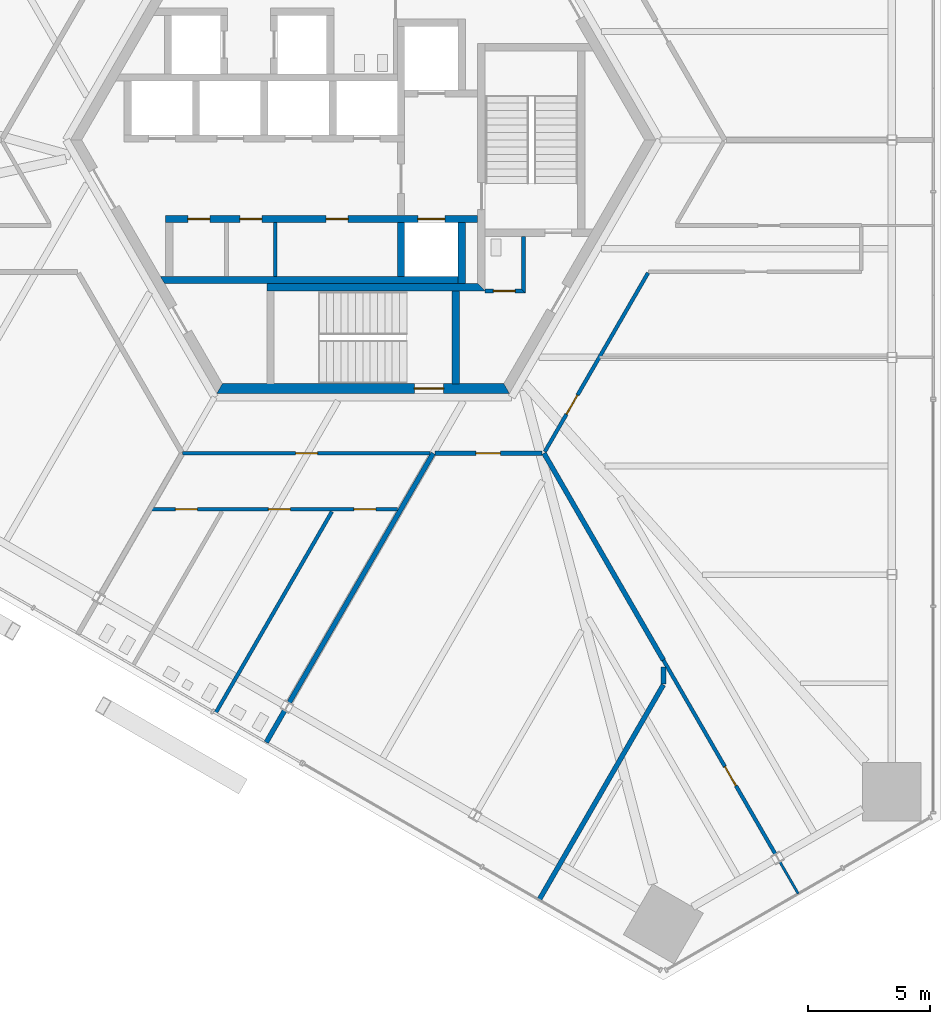
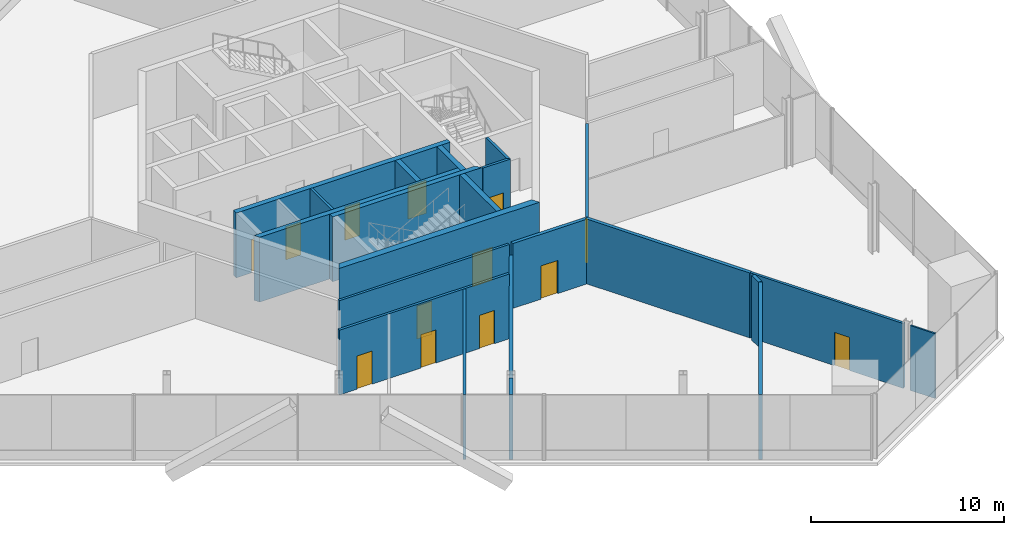
# One storey, part 10 of 15: 22 walls, 13 doors, 13 openings.
"""IFC4 building model written with IfcOpenShell, lengths in metres."""

from ifc_helpers import new_model, si_unit, direction, frame, frame_2d, origin, place, context, subcontext, project, spatial, polyline, rectangle, outline, extrude, source, transform, mapped, material, layer, layer_set, type_object, element, fill, save


model = new_model("IFC4")

# Units and contexts
model_context = context("Model", 3, precision=1e-05, world=origin(), true_north=direction((0.0, 1.0)))
body_context = subcontext(model_context, "Body", "Model", "MODEL_VIEW")
ifc_project = project(units=[si_unit("LENGTHUNIT", "METRE"), si_unit("AREAUNIT", "SQUARE_METRE"), si_unit("VOLUMEUNIT", "CUBIC_METRE"), si_unit("PLANEANGLEUNIT", "RADIAN"), si_unit("MASSUNIT", "GRAM", prefix="KILO")], contexts=[model_context])

# Site, building, storey
site_placement = place(None, origin())
site = spatial("IfcSite", under=ifc_project, at=site_placement, CompositionType="ELEMENT")
building_placement = place(site_placement, origin())
building = spatial("IfcBuilding", under=site, at=building_placement, Name="Triune Harvest Tower", CompositionType="ELEMENT")
storey_placement = place(building_placement, frame((0.0, 0.0, 28.89990234375)))
storey = spatial("IfcBuildingStorey", under=building, at=storey_placement, Name="L06", CompositionType="ELEMENT", Elevation=28.89990234375)

# Walls
ifc_material_1 = material(Name="Gypsum board on steel studs", Category="steel")
ifc_layer_1 = layer(ifc_material_1, 0.199951171875)
ifc_layer_set_1 = layer_set([ifc_layer_1], Name="Gypsum board on steel studs")
wall_type_1 = type_object("IfcWallType", Name="Fire Wall 200 mm", PredefinedType="PARTITIONING", material=ifc_layer_set_1)
wall_1_placement = place(storey_placement, frame((7.21923828125, -31.15478515625, 0.0), z_axis=(0.0, 0.0, 1.0), x_axis=(0.500008258637, 0.866020635606, 0.0)))
element("IfcWall", 1, at=wall_1_placement, inside=storey, type_object=wall_type_1, Name="Partition L06 031", PredefinedType="PARTITIONING", context=body_context, shape_type="SweptSolid", body=[
    extrude(rectangle(XDim=10.179443359375, YDim=0.199951171875, at=frame_2d((5.08984375, 0.0))), origin(), (0.0, 0.0, 1.0), 4.10009765625),
])
wall_2_placement = place(storey_placement, frame((12.30908203125, -22.30908203125, 0.0), z_axis=(0.0, 0.0, 1.0), x_axis=(0.0, 1.0, 0.0)))
element("IfcWall", 2, at=wall_2_placement, inside=storey, type_object=wall_type_1, Name="Partition L06 044", PredefinedType="PARTITIONING", context=body_context, shape_type="SweptSolid", body=[
    extrude(rectangle(XDim=0.708984375, YDim=0.199951171875, at=frame_2d((0.3544921875, 0.0))), origin(), (0.0, 0.0, 1.0), 4.10009765625),
])

# Wall, opening, door
ifc_material_2 = material(Name="Concrete 70 MPa", Category="concrete")
ifc_layer_2 = layer(ifc_material_2, 0.39990234375)
ifc_layer_set_2 = layer_set([ifc_layer_2], Name="Concrete 70 MPa")
wall_type_2 = type_object("IfcWallType", Name="Core wall 400", PredefinedType="SHEAR", material=ifc_layer_set_2)
shared_shape_1 = source(origin(), body_context, "Body", "SweptSolid", [
    extrude(outline(polyline([(-0.115478515625, -0.199951171875), (11.884521484375, -0.199951171875), (11.653564453125, 0.199951171875), (0.115478515625, 0.199951171875), (-0.115478515625, -0.199951171875)])), origin(), (0.0, 0.0, 1.0), 4.10009765625),
])
wall_3_placement = place(storey_placement, frame((-5.884521484375, -10.1923828125, 0.0), z_axis=(0.0, 0.0, 1.0), x_axis=(1.0, 0.0, 0.0)))
wall_3 = element("IfcWall", 3, at=wall_3_placement, inside=storey, type_object=wall_type_2, Name="Hexagon 4 wall", PredefinedType="SHEAR", context=body_context, shape_type="MappedRepresentation", body=[
    mapped(shared_shape_1, transform((0.0, 0.0, 0.0), scale=1.0)),
])
opening_1_placement = place(wall_3_placement, frame((7.984619140625, 0.0, 0.0)))
opening_1 = element("IfcOpeningElement", 4, at=opening_1_placement, cuts=wall_3, Name="Opening CD-S2P", PredefinedType="OPENING", context=body_context, shape_type="SweptSolid", body=[
    extrude(rectangle(XDim=1.199951171875, YDim=2.10009765625, at=frame_2d((0.60009765625, 1.050048828125))), frame((0.0, 0.2099609375, 0.0), z_axis=(0.0, -1.0, 0.0), x_axis=(1.0, 0.0, 0.0)), (0.0, 0.0, 1.0), 0.419921875),
])
ifc_material_3 = material(Name="Steel S235", Category="steel")
door_type_1 = type_object("IfcDoorType", Name="Stair door 1200 FD120", OperationType="SINGLE_SWING_LEFT", PredefinedType="DOOR", material=ifc_material_3)
door_1_placement = place(opening_1_placement, frame((1.199951171875, 0.0, 0.0), z_axis=(0.0, 0.0, 1.0), x_axis=(-1.0, 0.0, 0.0)))
door_1 = element("IfcDoor", 5, at=door_1_placement, inside=storey, type_object=door_type_1, Name="Door CD-S2P", OperationType="SINGLE_SWING_RIGHT", OverallHeight=2.10009765625, OverallWidth=1.199951171875, PredefinedType="DOOR", context=body_context, shape_type="SweptSolid", body=[
    extrude(rectangle(XDim=1.199951171875, YDim=2.10009765625, at=frame_2d((0.60009765625, 1.050048828125))), frame((0.0, 0.02490234375, 0.0), z_axis=(0.0, -1.0, 0.0), x_axis=(1.0, 0.0, 0.0)), (0.0, 0.0, 1.0), 0.050048828125),
])
fill(opening_1, door_1)

# Wall
ifc_material_4 = material(Name="Concrete 70 MPa", Category="concrete")
ifc_layer_3 = layer(ifc_material_4, 0.300048828125)
ifc_layer_set_3 = layer_set([ifc_layer_3], Name="Concrete 70 MPa")
wall_type_3 = type_object("IfcWallType", Name="Core wall 300", PredefinedType="SHEAR", material=ifc_layer_set_3)
shared_shape_2 = source(origin(), body_context, "Body", "SweptSolid", [
    extrude(rectangle(XDim=2.5, YDim=0.300048828125, at=frame_2d((1.25, 0.0))), origin(), (0.0, 0.0, 1.0), 4.10009765625),
])
wall_4_placement = place(storey_placement, frame((4.050048828125, -5.889892578125, 0.0), z_axis=(0.0, 0.0, 1.0), x_axis=(0.0, 1.0, 0.0)))
element("IfcWall", 6, at=wall_4_placement, inside=storey, type_object=wall_type_3, Name="Ff2 east wall", PredefinedType="SHEAR", context=body_context, shape_type="MappedRepresentation", body=[
    mapped(shared_shape_2, transform((0.0, 0.0, 0.0), scale=1.0)),
])

# Wall, openings, doors
shared_shape_3 = source(origin(), body_context, "Body", "SweptSolid", [
    extrude(rectangle(XDim=12.800048828125, YDim=0.300048828125, at=frame_2d((6.39990234375, 0.0))), origin(), (0.0, 0.0, 1.0), 4.10009765625),
])
wall_5_placement = place(storey_placement, frame((-8.10009765625, -3.239990234375, 0.0), z_axis=(0.0, 0.0, 1.0), x_axis=(1.0, 0.0, 0.0)))
wall_5 = element("IfcWall", 7, at=wall_5_placement, inside=storey, type_object=wall_type_3, Name="South front wall", PredefinedType="SHEAR", context=body_context, shape_type="MappedRepresentation", body=[
    mapped(shared_shape_3, transform((0.0, 0.0, 0.0), scale=1.0)),
])
opening_2_placement = place(wall_5_placement, frame((0.91259765625, 0.0, 0.0)))
opening_2 = element("IfcOpeningElement", 8, at=opening_2_placement, cuts=wall_5, Name="Opening CD-RS1", PredefinedType="OPENING", context=body_context, shape_type="SweptSolid", body=[
    extrude(rectangle(XDim=0.89990234375, YDim=2.10009765625, at=frame_2d((0.449951171875, 1.050048828125))), frame((0.0, 0.16015625, 0.0), z_axis=(0.0, -1.0, 0.0), x_axis=(1.0, 0.0, 0.0)), (0.0, 0.0, 1.0), 0.320068359375),
])
opening_3_placement = place(wall_5_placement, frame((3.050048828125, 0.0, 0.0)))
opening_3 = element("IfcOpeningElement", 9, at=opening_3_placement, cuts=wall_5, Name="Opening CD-RS2", PredefinedType="OPENING", context=body_context, shape_type="SweptSolid", body=[
    extrude(rectangle(XDim=0.89990234375, YDim=2.10009765625, at=frame_2d((0.449951171875, 1.050048828125))), frame((0.0, 0.16015625, 0.0), z_axis=(0.0, -1.0, 0.0), x_axis=(1.0, 0.0, 0.0)), (0.0, 0.0, 1.0), 0.320068359375),
])
opening_4_placement = place(wall_5_placement, frame((6.58740234375, 0.0, 0.0)))
opening_4 = element("IfcOpeningElement", 10, at=opening_4_placement, cuts=wall_5, Name="Opening CD-RS3", PredefinedType="OPENING", context=body_context, shape_type="SweptSolid", body=[
    extrude(rectangle(XDim=0.89990234375, YDim=2.10009765625, at=frame_2d((0.449951171875, 1.050048828125))), frame((0.0, 0.16015625, 0.0), z_axis=(0.0, -1.0, 0.0), x_axis=(1.0, 0.0, 0.0)), (0.0, 0.0, 1.0), 0.320068359375),
])
opening_5_placement = place(wall_5_placement, frame((10.35009765625, 0.0, 0.0)))
opening_5 = element("IfcOpeningElement", 11, at=opening_5_placement, cuts=wall_5, Name="Opening LD-FF2-06", PredefinedType="OPENING", context=body_context, shape_type="SweptSolid", body=[
    extrude(rectangle(XDim=1.10009765625, YDim=2.10009765625, at=frame_2d((0.550048828125, 1.050048828125))), frame((0.0, 0.16015625, 0.0), z_axis=(0.0, -1.0, 0.0), x_axis=(1.0, 0.0, 0.0)), (0.0, 0.0, 1.0), 0.320068359375),
])
ifc_material_5 = material(Name="Stainless steel AISI 304", Category="steel")
door_type_2 = type_object("IfcDoorType", Name="Landing door 1100 x 2100", OperationType="DOUBLE_DOOR_SLIDING", PredefinedType="DOOR", material=ifc_material_5)
door_2_placement = place(opening_5_placement, origin())
door_2 = element("IfcDoor", 12, at=door_2_placement, inside=storey, type_object=door_type_2, Name="Door LD-FF2-06", OperationType="DOUBLE_DOOR_SLIDING", OverallHeight=2.10009765625, OverallWidth=1.10009765625, PredefinedType="DOOR", context=body_context, shape_type="SweptSolid", body=[
    extrude(rectangle(XDim=1.10009765625, YDim=2.10009765625, at=frame_2d((0.550048828125, 1.050048828125))), frame((0.0, 0.02490234375, 0.0), z_axis=(0.0, -1.0, 0.0), x_axis=(1.0, 0.0, 0.0)), (0.0, 0.0, 1.0), 0.050048828125),
])
fill(opening_5, door_2)
ifc_material_6 = material(Name="Steel S235", Category="steel")
door_type_3 = type_object("IfcDoorType", Name="Riser door 900 FD120", OperationType="SINGLE_SWING_LEFT", PredefinedType="DOOR", material=ifc_material_6)
door_3_placement = place(opening_2_placement, origin())
door_3 = element("IfcDoor", 13, at=door_3_placement, inside=storey, type_object=door_type_3, Name="Door CD-RS1", OperationType="SINGLE_SWING_LEFT", OverallHeight=2.10009765625, OverallWidth=0.89990234375, PredefinedType="DOOR", context=body_context, shape_type="SweptSolid", body=[
    extrude(rectangle(XDim=0.89990234375, YDim=2.10009765625, at=frame_2d((0.449951171875, 1.050048828125))), frame((0.0, 0.02490234375, 0.0), z_axis=(0.0, -1.0, 0.0), x_axis=(1.0, 0.0, 0.0)), (0.0, 0.0, 1.0), 0.050048828125),
])
fill(opening_2, door_3)
door_4_placement = place(opening_3_placement, origin())
door_4 = element("IfcDoor", 14, at=door_4_placement, inside=storey, type_object=door_type_3, Name="Door CD-RS2", OperationType="SINGLE_SWING_LEFT", OverallHeight=2.10009765625, OverallWidth=0.89990234375, PredefinedType="DOOR", context=body_context, shape_type="SweptSolid", body=[
    extrude(rectangle(XDim=0.89990234375, YDim=2.10009765625, at=frame_2d((0.449951171875, 1.050048828125))), frame((0.0, 0.02490234375, 0.0), z_axis=(0.0, -1.0, 0.0), x_axis=(1.0, 0.0, 0.0)), (0.0, 0.0, 1.0), 0.050048828125),
])
fill(opening_3, door_4)
door_5_placement = place(opening_4_placement, origin())
door_5 = element("IfcDoor", 15, at=door_5_placement, inside=storey, type_object=door_type_3, Name="Door CD-RS3", OperationType="SINGLE_SWING_LEFT", OverallHeight=2.10009765625, OverallWidth=0.89990234375, PredefinedType="DOOR", context=body_context, shape_type="SweptSolid", body=[
    extrude(rectangle(XDim=0.89990234375, YDim=2.10009765625, at=frame_2d((0.449951171875, 1.050048828125))), frame((0.0, 0.02490234375, 0.0), z_axis=(0.0, -1.0, 0.0), x_axis=(1.0, 0.0, 0.0)), (0.0, 0.0, 1.0), 0.050048828125),
])
fill(opening_4, door_5)

# Walls
shared_shape_4 = source(origin(), body_context, "Body", "SweptSolid", [
    extrude(outline(polyline([(12.0, -0.14990234375), (-0.039794921875, -0.14990234375), (-0.212890625, 0.14990234375), (12.0, 0.14990234375), (12.0, -0.14990234375)])), origin(), (0.0, 0.0, 1.0), 4.10009765625),
])
wall_6_placement = place(storey_placement, frame((-8.10009765625, -5.739990234375, 0.0), z_axis=(0.0, 0.0, 1.0), x_axis=(1.0, 0.0, 0.0)))
element("IfcWall", 16, at=wall_6_placement, inside=storey, type_object=wall_type_3, Name="South back wall", PredefinedType="SHEAR", context=body_context, shape_type="MappedRepresentation", body=[
    mapped(shared_shape_4, transform((0.0, 0.0, 0.0), scale=1.0)),
])
shared_shape_5 = source(origin(), body_context, "Body", "SweptSolid", [
    extrude(rectangle(XDim=2.2001953125, YDim=0.300048828125, at=frame_2d((1.10009765625, 0.0))), origin(), (0.0, 0.0, 1.0), 4.10009765625),
])
wall_7_placement = place(storey_placement, frame((1.550048828125, -5.590087890625, 0.0), z_axis=(0.0, 0.0, 1.0), x_axis=(0.0, 1.0, 0.0)))
element("IfcWall", 17, at=wall_7_placement, inside=storey, type_object=wall_type_3, Name="Ff2 west wall", PredefinedType="SHEAR", context=body_context, shape_type="MappedRepresentation", body=[
    mapped(shared_shape_5, transform((0.0, 0.0, 0.0), scale=1.0)),
])
shared_shape_6 = source(origin(), body_context, "Body", "SweptSolid", [
    extrude(outline(polyline([(0.0, -0.14990234375), (8.949951171875, -0.14990234375), (8.64990234375, 0.14990234375), (0.0, 0.14990234375), (0.0, -0.14990234375)])), origin(), (0.0, 0.0, 1.0), 4.10009765625),
])
wall_8_placement = place(storey_placement, frame((-3.949951171875, -6.0400390625, 0.0), z_axis=(0.0, 0.0, 1.0), x_axis=(1.0, 0.0, 0.0)))
element("IfcWall", 18, at=wall_8_placement, inside=storey, type_object=wall_type_3, Name="Stair s north wall", PredefinedType="SHEAR", context=body_context, shape_type="MappedRepresentation", body=[
    mapped(shared_shape_6, transform((0.0, 0.0, 0.0), scale=1.0)),
])
shared_shape_7 = source(origin(), body_context, "Body", "SweptSolid", [
    extrude(outline(polyline([(3.800048828125, -0.14990234375), (-0.00439453125, -0.14990234375), (-0.00439453125, 0.14990234375), (3.800048828125, 0.14990234375), (3.800048828125, -0.14990234375)])), origin(), (0.0, 0.0, 1.0), 4.10009765625),
])
wall_9_placement = place(storey_placement, frame((3.800048828125, -9.989990234375, 0.0), z_axis=(0.0, 0.0, 1.0), x_axis=(0.0, 1.0, 0.0)))
element("IfcWall", 19, at=wall_9_placement, inside=storey, type_object=wall_type_3, Name="Stair s east wall", PredefinedType="SHEAR", context=body_context, shape_type="MappedRepresentation", body=[
    mapped(shared_shape_7, transform((0.0, 0.0, 0.0), scale=1.0)),
])
ifc_material_7 = material(Name="Concrete masonry unit", Category="masonry")
ifc_layer_4 = layer(ifc_material_7, 0.14990234375)
ifc_layer_set_4 = layer_set([ifc_layer_4], Name="Concrete masonry unit")
wall_type_4 = type_object("IfcWallType", Name="Block partition 150", PredefinedType="PARTITIONING", material=ifc_layer_set_4)
shared_shape_8 = source(origin(), body_context, "Body", "SweptSolid", [
    extrude(rectangle(XDim=2.2001953125, YDim=0.14990234375, at=frame_2d((1.10009765625, 0.0))), origin(), (0.0, 0.0, 1.0), 4.10009765625),
])
wall_10_placement = place(storey_placement, frame((-3.60009765625, -5.590087890625, 0.0), z_axis=(0.0, 0.0, 1.0), x_axis=(0.0, 1.0, 0.0)))
element("IfcWall", 20, at=wall_10_placement, inside=storey, type_object=wall_type_4, Name="Row s part 2 wall", PredefinedType="PARTITIONING", context=body_context, shape_type="MappedRepresentation", body=[
    mapped(shared_shape_8, transform((0.0, 0.0, 0.0), scale=1.0)),
])

# Wall, opening, door
ifc_material_8 = material(Name="Concrete masonry unit", Category="masonry")
ifc_layer_5 = layer(ifc_material_8, 0.14990234375)
ifc_layer_set_5 = layer_set([ifc_layer_5], Name="Concrete masonry unit")
wall_type_5 = type_object("IfcWallType", Name="Block partition 150 unrated", PredefinedType="PARTITIONING", material=ifc_layer_set_5)
shared_shape_9 = source(origin(), body_context, "Body", "SweptSolid", [
    extrude(outline(polyline([(0.0, -0.074951171875), (1.64990234375, -0.074951171875), (1.5, 0.074951171875), (0.0, 0.074951171875), (0.0, -0.074951171875)])), origin(), (0.0, 0.0, 1.0), 4.10009765625),
])
wall_11_placement = place(storey_placement, frame((5.0, -6.18994140625, 0.0), z_axis=(0.0, 0.0, 1.0), x_axis=(1.0, 0.0, 0.0)))
wall_11 = element("IfcWall", 21, at=wall_11_placement, inside=storey, type_object=wall_type_5, Name="Wc acc south wall", PredefinedType="PARTITIONING", context=body_context, shape_type="MappedRepresentation", body=[
    mapped(shared_shape_9, transform((0.0, 0.0, 0.0), scale=1.0)),
])
opening_6_placement = place(wall_11_placement, frame((0.33740234375, 0.0, 0.0)))
opening_6 = element("IfcOpeningElement", 22, at=opening_6_placement, cuts=wall_11, Name="Opening CD-WA", PredefinedType="OPENING", context=body_context, shape_type="SweptSolid", body=[
    extrude(rectangle(XDim=0.89990234375, YDim=2.10009765625, at=frame_2d((0.449951171875, 1.050048828125))), frame((0.0, 0.0849609375, 0.0), z_axis=(0.0, -1.0, 0.0), x_axis=(1.0, 0.0, 0.0)), (0.0, 0.0, 1.0), 0.169921875),
])
ifc_material_9 = material(Name="Timber C24", Category="wood")
door_type_4 = type_object("IfcDoorType", Name="WC door 900", OperationType="SINGLE_SWING_LEFT", PredefinedType="DOOR", material=ifc_material_9)
door_6_placement = place(opening_6_placement, origin())
door_6 = element("IfcDoor", 23, at=door_6_placement, inside=storey, type_object=door_type_4, Name="Door CD-WA", OperationType="SINGLE_SWING_LEFT", OverallHeight=2.10009765625, OverallWidth=0.89990234375, PredefinedType="DOOR", context=body_context, shape_type="SweptSolid", body=[
    extrude(rectangle(XDim=0.89990234375, YDim=2.10009765625, at=frame_2d((0.449951171875, 1.050048828125))), frame((0.0, 0.02490234375, 0.0), z_axis=(0.0, -1.0, 0.0), x_axis=(1.0, 0.0, 0.0)), (0.0, 0.0, 1.0), 0.050048828125),
])
fill(opening_6, door_6)

# Walls
shared_shape_10 = source(origin(), body_context, "Body", "SweptSolid", [
    extrude(outline(polyline([(-0.074951171875, -0.074951171875), (2.239990234375, -0.074951171875), (2.239990234375, 0.074951171875), (0.074951171875, 0.074951171875), (-0.074951171875, -0.074951171875)])), origin(), (0.0, 0.0, 1.0), 4.10009765625),
])
wall_12_placement = place(storey_placement, frame((6.574951171875, -6.18994140625, 0.0), z_axis=(0.0, 0.0, 1.0), x_axis=(0.0, 1.0, 0.0)))
element("IfcWall", 24, at=wall_12_placement, inside=storey, type_object=wall_type_5, Name="Wc acc east wall", PredefinedType="PARTITIONING", context=body_context, shape_type="MappedRepresentation", body=[
    mapped(shared_shape_10, transform((0.0, 0.0, 0.0), scale=1.0)),
])
ifc_material_10 = material(Name="Gypsum board on steel studs", Category="steel")
ifc_layer_6 = layer(ifc_material_10, 0.10009765625)
ifc_layer_set_6 = layer_set([ifc_layer_6], Name="Gypsum board on steel studs")
wall_type_6 = type_object("IfcWallType", Name="Partition 100 mm", PredefinedType="PARTITIONING", material=ifc_layer_set_6)
shared_shape_11 = source(origin(), body_context, "Body", "SweptSolid", [
    extrude(rectangle(XDim=1.49853515625, YDim=0.10009765625, at=frame_2d((0.749267578125, 0.0))), origin(), (0.0, 0.0, 1.0), 4.10009765625),
])
wall_13_placement = place(storey_placement, frame((17.0908203125, -29.602294921875, 0.0), z_axis=(0.0, 0.0, 1.0), x_axis=(0.499976292358, -0.866039090965, 0.0)))
element("IfcWall", 25, at=wall_13_placement, inside=storey, type_object=wall_type_6, Name="Partition L06 005", PredefinedType="PARTITIONING", context=body_context, shape_type="MappedRepresentation", body=[
    mapped(shared_shape_11, transform((0.0, 0.0, 0.0), scale=1.0)),
])
shared_shape_12 = source(origin(), body_context, "Body", "SweptSolid", [
    extrude(rectangle(XDim=1.498779296875, YDim=0.199951171875, at=frame_2d((0.74951171875, 0.0))), origin(), (0.0, 0.0, 1.0), 4.10009765625),
])
wall_14_placement = place(storey_placement, frame((-3.96923828125, -24.6953125, 0.0), z_axis=(0.0, 0.0, 1.0), x_axis=(0.499905760005, 0.866079806435, 0.0)))
element("IfcWall", 26, at=wall_14_placement, inside=storey, type_object=wall_type_1, Name="Partition L06 034", PredefinedType="PARTITIONING", context=body_context, shape_type="MappedRepresentation", body=[
    mapped(shared_shape_12, transform((0.0, 0.0, 0.0), scale=1.0)),
])
shared_shape_13 = source(origin(), body_context, "Body", "SweptSolid", [
    extrude(rectangle(XDim=9.789306640625, YDim=0.199951171875, at=frame_2d((4.89453125, 0.0))), origin(), (0.0, 0.0, 1.0), 4.10009765625),
])
wall_15_placement = place(storey_placement, frame((7.41455078125, -12.84228515625, 0.0), z_axis=(0.0, 0.0, 1.0), x_axis=(0.499990870221, -0.866030674801, 0.0)))
element("IfcWall", 27, at=wall_15_placement, inside=storey, type_object=wall_type_1, Name="Partition L06 003", PredefinedType="PARTITIONING", context=body_context, shape_type="MappedRepresentation", body=[
    mapped(shared_shape_13, transform((0.0, 0.0, 0.0), scale=1.0)),
])

# Wall, opening, door
ifc_material_11 = material(Name="Gypsum board on steel studs", Category="steel")
ifc_layer_7 = layer(ifc_material_11, 0.14990234375)
ifc_layer_set_7 = layer_set([ifc_layer_7], Name="Gypsum board on steel studs")
wall_type_7 = type_object("IfcWallType", Name="Fire Partition 150 mm", PredefinedType="PARTITIONING", material=ifc_layer_set_7)
shared_shape_14 = source(origin(), body_context, "Body", "SweptSolid", [
    extrude(rectangle(XDim=9.177001953125, YDim=0.14990234375, at=frame_2d((4.58837890625, 0.0))), origin(), (0.0, 0.0, 1.0), 4.10009765625),
])
wall_16_placement = place(storey_placement, frame((12.30908203125, -21.320068359375, 0.0), z_axis=(0.0, 0.0, 1.0), x_axis=(0.500010309177, -0.866019451697, 0.0)))
wall_16 = element("IfcWall", 28, at=wall_16_placement, inside=storey, type_object=wall_type_7, Name="Partition L06 004", PredefinedType="PARTITIONING", context=body_context, shape_type="MappedRepresentation", body=[
    mapped(shared_shape_14, transform((0.0, 0.0, 0.0), scale=1.0)),
])
opening_7_placement = place(wall_16_placement, frame((5.050048828125, 0.0, 0.0)))
opening_7 = element("IfcOpeningElement", 29, at=opening_7_placement, cuts=wall_16, Name="Opening L06-017", PredefinedType="OPENING", context=body_context, shape_type="SweptSolid", body=[
    extrude(rectangle(XDim=0.89990234375, YDim=2.10009765625, at=frame_2d((0.449951171875, 1.050048828125))), frame((0.0, 0.0849609375, 0.0), z_axis=(0.0, -1.0, 0.0), x_axis=(1.0, 0.0, 0.0)), (0.0, 0.0, 1.0), 0.169921875),
])
ifc_material_12 = material(Name="Timber and steel door set", Category="steel")
door_type_5 = type_object("IfcDoorType", Name="Single leaf door FD30 left hand 900 x 2100", OperationType="SINGLE_SWING_LEFT", PredefinedType="DOOR", material=ifc_material_12)
door_7_placement = place(opening_7_placement, origin())
door_7 = element("IfcDoor", 30, at=door_7_placement, inside=storey, type_object=door_type_5, Name="Door L06-017 Drying Room 06.17", OperationType="SINGLE_SWING_LEFT", OverallHeight=2.10009765625, OverallWidth=0.89990234375, PredefinedType="DOOR", context=body_context, shape_type="SweptSolid", body=[
    extrude(rectangle(XDim=0.89990234375, YDim=2.10009765625, at=frame_2d((0.449951171875, 1.050048828125))), frame((0.0, 0.02490234375, 0.0), z_axis=(0.0, -1.0, 0.0), x_axis=(1.0, 0.0, 0.0)), (0.0, 0.0, 1.0), 0.050048828125),
])
fill(opening_7, door_7)

# Wall, openings, doors
shared_shape_15 = source(origin(), body_context, "Body", "SweptSolid", [
    extrude(rectangle(XDim=10.1484375, YDim=0.14990234375, at=frame_2d((5.07421875, 0.0))), origin(), (0.0, 0.0, 1.0), 4.10009765625),
])
wall_17_placement = place(storey_placement, frame((-8.742431640625, -15.142333984375, 0.0), z_axis=(0.0, 0.0, 1.0), x_axis=(1.0, 0.0, 0.0)))
wall_17 = element("IfcWall", 31, at=wall_17_placement, inside=storey, type_object=wall_type_7, Name="Partition L06 010", PredefinedType="PARTITIONING", context=body_context, shape_type="MappedRepresentation", body=[
    mapped(shared_shape_15, transform((0.0, 0.0, 0.0), scale=1.0)),
])
opening_8_placement = place(wall_17_placement, frame((1.050048828125, 0.0, 0.0)))
opening_8 = element("IfcOpeningElement", 32, at=opening_8_placement, cuts=wall_17, Name="Opening L06-013", PredefinedType="OPENING", context=body_context, shape_type="SweptSolid", body=[
    extrude(rectangle(XDim=0.89990234375, YDim=2.10009765625, at=frame_2d((0.449951171875, 1.050048828125))), frame((0.0, 0.0849609375, 0.0), z_axis=(0.0, -1.0, 0.0), x_axis=(1.0, 0.0, 0.0)), (0.0, 0.0, 1.0), 0.169921875),
])
opening_9_placement = place(wall_17_placement, frame((4.856689453125, 0.0, 0.0)))
opening_9 = element("IfcOpeningElement", 33, at=opening_9_placement, cuts=wall_17, Name="Opening L06-014", PredefinedType="OPENING", context=body_context, shape_type="SweptSolid", body=[
    extrude(rectangle(XDim=0.89990234375, YDim=2.10009765625, at=frame_2d((0.449951171875, 1.050048828125))), frame((0.0, 0.0849609375, 0.0), z_axis=(0.0, -1.0, 0.0), x_axis=(1.0, 0.0, 0.0)), (0.0, 0.0, 1.0), 0.169921875),
])
opening_10_placement = place(wall_17_placement, frame((8.3671875, 0.0, 0.0)))
opening_10 = element("IfcOpeningElement", 34, at=opening_10_placement, cuts=wall_17, Name="Opening L06-015", PredefinedType="OPENING", context=body_context, shape_type="SweptSolid", body=[
    extrude(rectangle(XDim=0.89990234375, YDim=2.10009765625, at=frame_2d((0.449951171875, 1.050048828125))), frame((0.0, 0.0849609375, 0.0), z_axis=(0.0, -1.0, 0.0), x_axis=(1.0, 0.0, 0.0)), (0.0, 0.0, 1.0), 0.169921875),
])
door_8_placement = place(opening_9_placement, origin())
door_8 = element("IfcDoor", 35, at=door_8_placement, inside=storey, type_object=door_type_5, Name="Door L06-014 Men's WC 06.14", OperationType="SINGLE_SWING_LEFT", OverallHeight=2.10009765625, OverallWidth=0.89990234375, PredefinedType="DOOR", context=body_context, shape_type="SweptSolid", body=[
    extrude(rectangle(XDim=0.89990234375, YDim=2.10009765625, at=frame_2d((0.449951171875, 1.050048828125))), frame((0.0, 0.02490234375, 0.0), z_axis=(0.0, -1.0, 0.0), x_axis=(1.0, 0.0, 0.0)), (0.0, 0.0, 1.0), 0.050048828125),
])
fill(opening_9, door_8)
door_9_placement = place(opening_10_placement, origin())
door_9 = element("IfcDoor", 36, at=door_9_placement, inside=storey, type_object=door_type_5, Name="Door L06-015 Accessible WC 06.15", OperationType="SINGLE_SWING_LEFT", OverallHeight=2.10009765625, OverallWidth=0.89990234375, PredefinedType="DOOR", context=body_context, shape_type="SweptSolid", body=[
    extrude(rectangle(XDim=0.89990234375, YDim=2.10009765625, at=frame_2d((0.449951171875, 1.050048828125))), frame((0.0, 0.02490234375, 0.0), z_axis=(0.0, -1.0, 0.0), x_axis=(1.0, 0.0, 0.0)), (0.0, 0.0, 1.0), 0.050048828125),
])
fill(opening_10, door_9)
ifc_material_13 = material(Name="Timber and steel door set", Category="steel")
door_type_6 = type_object("IfcDoorType", Name="Single leaf door FD30 right hand 900 x 2100", OperationType="SINGLE_SWING_RIGHT", PredefinedType="DOOR", material=ifc_material_13)
door_10_placement = place(opening_8_placement, origin())
door_10 = element("IfcDoor", 37, at=door_10_placement, inside=storey, type_object=door_type_6, Name="Door L06-013 Women's WC 06.13", OperationType="SINGLE_SWING_RIGHT", OverallHeight=2.10009765625, OverallWidth=0.89990234375, PredefinedType="DOOR", context=body_context, shape_type="SweptSolid", body=[
    extrude(rectangle(XDim=0.89990234375, YDim=2.10009765625, at=frame_2d((0.449951171875, 1.050048828125))), frame((0.0, 0.02490234375, 0.0), z_axis=(0.0, -1.0, 0.0), x_axis=(1.0, 0.0, 0.0)), (0.0, 0.0, 1.0), 0.050048828125),
])
fill(opening_8, door_10)

# Wall, opening, door
shared_shape_16 = source(origin(), body_context, "Body", "SweptSolid", [
    extrude(rectangle(XDim=10.155029296875, YDim=0.14990234375, at=frame_2d((5.07763671875, 0.0))), origin(), (0.0, 0.0, 1.0), 4.10009765625),
])
wall_18_placement = place(storey_placement, frame((-7.41455078125, -12.84228515625, 0.0), z_axis=(0.0, 0.0, 1.0), x_axis=(1.0, 0.0, 0.0)))
wall_18 = element("IfcWall", 38, at=wall_18_placement, inside=storey, type_object=wall_type_7, Name="Partition L06 011", PredefinedType="PARTITIONING", context=body_context, shape_type="MappedRepresentation", body=[
    mapped(shared_shape_16, transform((0.0, 0.0, 0.0), scale=1.0)),
])
opening_11_placement = place(wall_18_placement, frame((4.64990234375, 0.0, 0.0)))
opening_11 = element("IfcOpeningElement", 39, at=opening_11_placement, cuts=wall_18, Name="Opening L06-012", PredefinedType="OPENING", context=body_context, shape_type="SweptSolid", body=[
    extrude(rectangle(XDim=0.89990234375, YDim=2.10009765625, at=frame_2d((0.449951171875, 1.050048828125))), frame((0.0, 0.0849609375, 0.0), z_axis=(0.0, -1.0, 0.0), x_axis=(1.0, 0.0, 0.0)), (0.0, 0.0, 1.0), 0.169921875),
])
door_11_placement = place(opening_11_placement, origin())
door_11 = element("IfcDoor", 40, at=door_11_placement, inside=storey, type_object=door_type_6, Name="Door L06-012 WC lobby 06.12", OperationType="SINGLE_SWING_RIGHT", OverallHeight=2.10009765625, OverallWidth=0.89990234375, PredefinedType="DOOR", context=body_context, shape_type="SweptSolid", body=[
    extrude(rectangle(XDim=0.89990234375, YDim=2.10009765625, at=frame_2d((0.449951171875, 1.050048828125))), frame((0.0, 0.02490234375, 0.0), z_axis=(0.0, -1.0, 0.0), x_axis=(1.0, 0.0, 0.0)), (0.0, 0.0, 1.0), 0.050048828125),
])
fill(opening_11, door_11)

shared_shape_17 = source(origin(), body_context, "Body", "SweptSolid", [
    extrude(rectangle(XDim=4.404052734375, YDim=0.199951171875, at=frame_2d((2.2021484375, 0.0))), origin(), (0.0, 0.0, 1.0), 4.10009765625),
])
wall_19_placement = place(storey_placement, frame((2.9404296875, -12.84228515625, 0.0), z_axis=(0.0, 0.0, 1.0), x_axis=(1.0, 0.0, 0.0)))
wall_19 = element("IfcWall", 41, at=wall_19_placement, inside=storey, type_object=wall_type_1, Name="Partition L06 012", PredefinedType="PARTITIONING", context=body_context, shape_type="MappedRepresentation", body=[
    mapped(shared_shape_17, transform((0.0, 0.0, 0.0), scale=1.0)),
])
opening_12_placement = place(wall_19_placement, frame((1.683349609375, 0.0, 0.0)))
opening_12 = element("IfcOpeningElement", 42, at=opening_12_placement, cuts=wall_19, Name="Opening L06-016", PredefinedType="OPENING", context=body_context, shape_type="SweptSolid", body=[
    extrude(rectangle(XDim=1.0, YDim=2.10009765625, at=frame_2d((0.5, 1.050048828125))), frame((0.0, 0.10986328125, 0.0), z_axis=(0.0, -1.0, 0.0), x_axis=(1.0, 0.0, 0.0)), (0.0, 0.0, 1.0), 0.219970703125),
])
ifc_material_14 = material(Name="Timber and steel door set", Category="steel")
door_type_7 = type_object("IfcDoorType", Name="Wide single leaf door FD60 right hand 1000 x 2100", OperationType="SINGLE_SWING_RIGHT", PredefinedType="DOOR", material=ifc_material_14)
door_12_placement = place(opening_12_placement, origin())
door_12 = element("IfcDoor", 43, at=door_12_placement, inside=storey, type_object=door_type_7, Name="Door L06-016 Herb Growing Room 06.16", OperationType="SINGLE_SWING_RIGHT", OverallHeight=2.10009765625, OverallWidth=1.0, PredefinedType="DOOR", context=body_context, shape_type="SweptSolid", body=[
    extrude(rectangle(XDim=1.0, YDim=2.10009765625, at=frame_2d((0.5, 1.050048828125))), frame((0.0, 0.02490234375, 0.0), z_axis=(0.0, -1.0, 0.0), x_axis=(1.0, 0.0, 0.0)), (0.0, 0.0, 1.0), 0.050048828125),
])
fill(opening_12, door_12)

shared_shape_18 = source(origin(), body_context, "Body", "SweptSolid", [
    extrude(rectangle(XDim=8.468017578125, YDim=0.14990234375, at=frame_2d((4.23388671875, 0.0))), origin(), (0.0, 0.0, 1.0), 4.10009765625),
])
wall_20_placement = place(storey_placement, frame((7.449462890625, -12.78173828125, 0.0), z_axis=(0.0, 0.0, 1.0), x_axis=(0.499990325971, 0.866030989016, 0.0)))
wall_20 = element("IfcWall", 44, at=wall_20_placement, inside=storey, type_object=wall_type_7, Name="Partition L06 032", PredefinedType="PARTITIONING", context=body_context, shape_type="MappedRepresentation", body=[
    mapped(shared_shape_18, transform((0.0, 0.0, 0.0), scale=1.0)),
])
opening_13_placement = place(wall_20_placement, frame((1.780029296875, 0.0, 0.0)))
opening_13 = element("IfcOpeningElement", 45, at=opening_13_placement, cuts=wall_20, Name="Opening L06-001", PredefinedType="OPENING", context=body_context, shape_type="SweptSolid", body=[
    extrude(rectangle(XDim=0.89990234375, YDim=2.10009765625, at=frame_2d((0.449951171875, 1.050048828125))), frame((0.0, 0.0849609375, 0.0), z_axis=(0.0, -1.0, 0.0), x_axis=(1.0, 0.0, 0.0)), (0.0, 0.0, 1.0), 0.169921875),
])
door_13_placement = place(opening_13_placement, origin())
door_13 = element("IfcDoor", 46, at=door_13_placement, inside=storey, type_object=door_type_6, Name="Door L06-001 Packing Room 06.01", OperationType="SINGLE_SWING_RIGHT", OverallHeight=2.10009765625, OverallWidth=0.89990234375, PredefinedType="DOOR", context=body_context, shape_type="SweptSolid", body=[
    extrude(rectangle(XDim=0.89990234375, YDim=2.10009765625, at=frame_2d((0.449951171875, 1.050048828125))), frame((0.0, 0.02490234375, 0.0), z_axis=(0.0, -1.0, 0.0), x_axis=(1.0, 0.0, 0.0)), (0.0, 0.0, 1.0), 0.050048828125),
])
fill(opening_13, door_13)

# Walls
shared_shape_19 = source(origin(), body_context, "Body", "SweptSolid", [
    extrude(rectangle(XDim=11.801513671875, YDim=0.199951171875, at=frame_2d((5.90087890625, 0.0))), origin(), (0.0, 0.0, 1.0), 3.343017578125),
])
wall_21_placement = place(storey_placement, frame((-3.02685546875, -23.062744140625, 0.0), z_axis=(0.0, 0.0, 1.0), x_axis=(0.499990468534, 0.866030906709, 0.0)))
element("IfcWall", 47, at=wall_21_placement, inside=storey, type_object=wall_type_1, Name="Partition L06 035", PredefinedType="PARTITIONING", context=body_context, shape_type="MappedRepresentation", body=[
    mapped(shared_shape_19, transform((0.0, 0.0, 0.0), scale=1.0)),
])
shared_shape_20 = source(origin(), body_context, "Body", "SweptSolid", [
    extrude(rectangle(XDim=9.53515625, YDim=0.14990234375, at=frame_2d((4.767578125, 0.0))), origin(), (0.0, 0.0, 1.0), 4.10009765625),
])
wall_22_placement = place(storey_placement, frame((-6.0478515625, -23.4951171875, 0.0), z_axis=(0.0, 0.0, 1.0), x_axis=(0.500005412377, 0.866022278924, 0.0)))
element("IfcWall", 48, at=wall_22_placement, inside=storey, type_object=wall_type_7, Name="Partition L06 036", PredefinedType="PARTITIONING", context=body_context, shape_type="MappedRepresentation", body=[
    mapped(shared_shape_20, transform((0.0, 0.0, 0.0), scale=1.0)),
])

save(model, "model.ifc")
